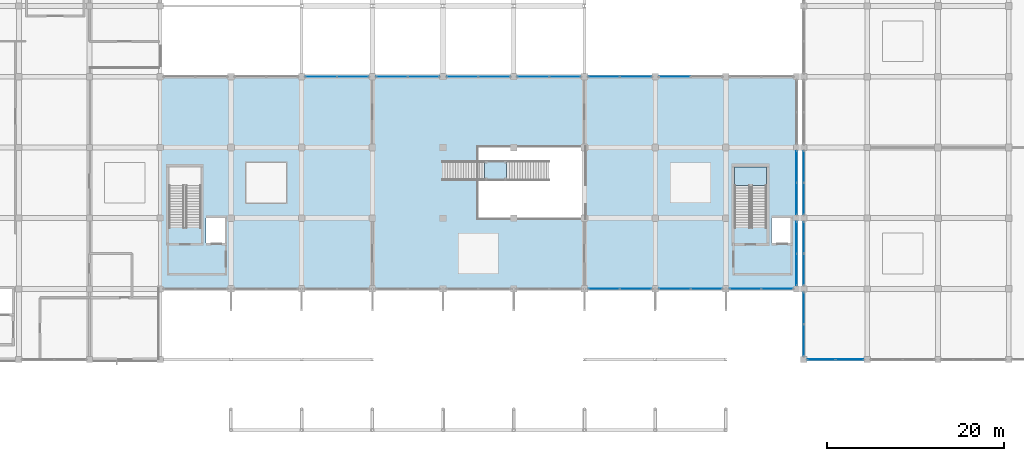
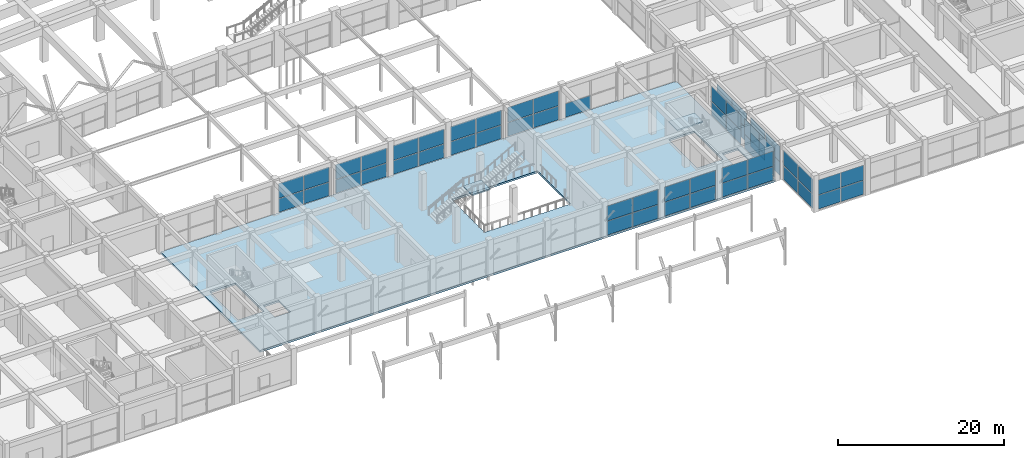
# One storey, part 42 of 69: 57 plates, 3 slabs, 17 elements without a shape of their own.
"""IFC4 building model written with IfcOpenShell, lengths in metres."""

from ifc_helpers import new_model, si_unit, direction, frame, origin, origin_2d, place, context, subcontext, project, spatial, polyline, rectangle, outline, extrude, material, layer, layer_set, type_object, element, aggregate, save


model = new_model("IFC4")

# Units and contexts
model_context = context("Model", 3, precision=1e-05, world=origin(), true_north=direction((0.0, 1.0)))
body_context = subcontext(model_context, "Body", "Model", "MODEL_VIEW")
ifc_project = project(units=[si_unit("LENGTHUNIT", "METRE"), si_unit("AREAUNIT", "SQUARE_METRE"), si_unit("VOLUMEUNIT", "CUBIC_METRE"), si_unit("PLANEANGLEUNIT", "RADIAN"), si_unit("MASSUNIT", "GRAM", prefix="KILO")], contexts=[model_context])

# Site, building, storey
site_placement = place(None, origin())
site = spatial("IfcSite", under=ifc_project, at=site_placement, CompositionType="ELEMENT")
building_placement = place(site_placement, origin())
building = spatial("IfcBuilding", under=site, at=building_placement, Name="Kenh Van Central Station", CompositionType="ELEMENT")
storey_placement = place(building_placement, frame((0.0, 0.0, 5.39990234375)))
storey = spatial("IfcBuildingStorey", under=building, at=storey_placement, Name="L01", CompositionType="ELEMENT", Elevation=5.39990234375)

# Curtain wall, plate
ifc_material_1 = material(Name="Champagne anodised aluminium", Category="aluminium")
curtain_wall_type_1 = type_object("IfcCurtainWallType", Name="CW-CONC-B", PredefinedType="NOTDEFINED", material=ifc_material_1)
curtain_wall_1_placement = place(storey_placement, origin())
curtain_wall_1 = element("IfcCurtainWall", 1, at=curtain_wall_1_placement, inside=storey, type_object=curtain_wall_type_1, Name="L01 curtain wall 113", PredefinedType="NOTDEFINED")
ifc_material_2 = material(Name="Double-glazed low-E laminated solar glass", Category="glass")
ifc_layer_1 = layer(ifc_material_2, 0.028076171875, Name="Double-glazed low-E laminated solar glass")
ifc_layer_set_1 = layer_set([ifc_layer_1], Name="Double-glazed low-E laminated solar glass")
plate_type_1 = type_object("IfcPlateType", Name="CWP-IGU-28", PredefinedType="CURTAIN_PANEL", material=ifc_layer_set_1)
plate_1_placement = place(storey_placement, frame((106.2080078125, 40.0, 0.072265625), z_axis=(0.0, 0.0, 1.0), x_axis=(-1.0, 0.0, 0.0)))
plate_1 = element("IfcPlate", 2, at=plate_1_placement, type_object=plate_type_1, Name="CW-04 panel 2.1", PredefinedType="CURTAIN_PANEL", context=body_context, shape_type="SweptSolid", body=[
    extrude(rectangle(XDim=3.501953125, YDim=0.028076171875, at=origin_2d()), origin(), (0.0, 0.0, 1.0), 2.018310546875),
])
aggregate(curtain_wall_1, [plate_1])

# Curtain wall, plates
curtain_wall_2_placement = place(storey_placement, origin())
curtain_wall_2 = element("IfcCurtainWall", 3, at=curtain_wall_2_placement, inside=storey, type_object=curtain_wall_type_1, Name="L01 curtain wall 114", PredefinedType="NOTDEFINED")
plate_2_placement = place(storey_placement, frame((101.7919921875, 40.0, 0.072265625), z_axis=(0.0, 0.0, 1.0), x_axis=(-1.0, 0.0, 0.0)))
plate_2 = element("IfcPlate", 4, at=plate_2_placement, type_object=plate_type_1, Name="CW-04 panel 1.1", PredefinedType="CURTAIN_PANEL", context=body_context, shape_type="SweptSolid", body=[
    extrude(rectangle(XDim=3.501953125, YDim=0.028076171875, at=origin_2d()), origin(), (0.0, 0.0, 1.0), 2.018310546875),
])
plate_3_placement = place(storey_placement, frame((101.7919921875, 40.0, 2.16259765625), z_axis=(0.0, 0.0, 1.0), x_axis=(-1.0, 0.0, 0.0)))
plate_3 = element("IfcPlate", 5, at=plate_3_placement, type_object=plate_type_1, Name="CW-04 panel 1.2", PredefinedType="CURTAIN_PANEL", context=body_context, shape_type="SweptSolid", body=[
    extrude(rectangle(XDim=3.501953125, YDim=0.028076171875, at=origin_2d()), origin(), (0.0, 0.0, 1.0), 2.195556640625),
])
plate_4_placement = place(storey_placement, frame((98.2080078125, 40.0, 0.072265625), z_axis=(0.0, 0.0, 1.0), x_axis=(-1.0, 0.0, 0.0)))
plate_4 = element("IfcPlate", 6, at=plate_4_placement, type_object=plate_type_1, Name="CW-04 panel 2.1", PredefinedType="CURTAIN_PANEL", context=body_context, shape_type="SweptSolid", body=[
    extrude(rectangle(XDim=3.501953125, YDim=0.028076171875, at=origin_2d()), origin(), (0.0, 0.0, 1.0), 2.018310546875),
])
plate_5_placement = place(storey_placement, frame((98.2080078125, 40.0, 2.16259765625), z_axis=(0.0, 0.0, 1.0), x_axis=(-1.0, 0.0, 0.0)))
plate_5 = element("IfcPlate", 7, at=plate_5_placement, type_object=plate_type_1, Name="CW-04 panel 2.2", PredefinedType="CURTAIN_PANEL", context=body_context, shape_type="SweptSolid", body=[
    extrude(rectangle(XDim=3.501953125, YDim=0.028076171875, at=origin_2d()), origin(), (0.0, 0.0, 1.0), 2.195556640625),
])
aggregate(curtain_wall_2, [plate_2, plate_3, plate_4, plate_5])

curtain_wall_3_placement = place(storey_placement, origin())
curtain_wall_3 = element("IfcCurtainWall", 8, at=curtain_wall_3_placement, inside=storey, type_object=curtain_wall_type_1, Name="L01 curtain wall 115", PredefinedType="NOTDEFINED")
plate_6_placement = place(storey_placement, frame((93.7919921875, 40.0, 0.072265625), z_axis=(0.0, 0.0, 1.0), x_axis=(-1.0, 0.0, 0.0)))
plate_6 = element("IfcPlate", 9, at=plate_6_placement, type_object=plate_type_1, Name="CW-04 panel 1.1", PredefinedType="CURTAIN_PANEL", context=body_context, shape_type="SweptSolid", body=[
    extrude(rectangle(XDim=3.501953125, YDim=0.028076171875, at=origin_2d()), origin(), (0.0, 0.0, 1.0), 1.994384765625),
])
plate_7_placement = place(storey_placement, frame((93.7919921875, 40.0, 2.138671875), z_axis=(0.0, 0.0, 1.0), x_axis=(-1.0, 0.0, 0.0)))
plate_7 = element("IfcPlate", 10, at=plate_7_placement, type_object=plate_type_1, Name="CW-04 panel 1.2", PredefinedType="CURTAIN_PANEL", context=body_context, shape_type="SweptSolid", body=[
    extrude(rectangle(XDim=3.501953125, YDim=0.028076171875, at=origin_2d()), origin(), (0.0, 0.0, 1.0), 2.169677734375),
])
plate_8_placement = place(storey_placement, frame((90.2080078125, 40.0, 0.072265625), z_axis=(0.0, 0.0, 1.0), x_axis=(-1.0, 0.0, 0.0)))
plate_8 = element("IfcPlate", 11, at=plate_8_placement, type_object=plate_type_1, Name="CW-04 panel 2.1", PredefinedType="CURTAIN_PANEL", context=body_context, shape_type="SweptSolid", body=[
    extrude(rectangle(XDim=3.501953125, YDim=0.028076171875, at=origin_2d()), origin(), (0.0, 0.0, 1.0), 1.994384765625),
])
plate_9_placement = place(storey_placement, frame((90.2080078125, 40.0, 2.138671875), z_axis=(0.0, 0.0, 1.0), x_axis=(-1.0, 0.0, 0.0)))
plate_9 = element("IfcPlate", 12, at=plate_9_placement, type_object=plate_type_1, Name="CW-04 panel 2.2", PredefinedType="CURTAIN_PANEL", context=body_context, shape_type="SweptSolid", body=[
    extrude(rectangle(XDim=3.501953125, YDim=0.028076171875, at=origin_2d()), origin(), (0.0, 0.0, 1.0), 2.169677734375),
])
aggregate(curtain_wall_3, [plate_6, plate_7, plate_8, plate_9])

curtain_wall_4_placement = place(storey_placement, origin())
curtain_wall_4 = element("IfcCurtainWall", 13, at=curtain_wall_4_placement, inside=storey, type_object=curtain_wall_type_1, Name="L01 curtain wall 116", PredefinedType="NOTDEFINED")
plate_10_placement = place(storey_placement, frame((85.7919921875, 40.0, 0.072265625), z_axis=(0.0, 0.0, 1.0), x_axis=(-1.0, 0.0, 0.0)))
plate_10 = element("IfcPlate", 14, at=plate_10_placement, type_object=plate_type_1, Name="CW-04 panel 1.1", PredefinedType="CURTAIN_PANEL", context=body_context, shape_type="SweptSolid", body=[
    extrude(rectangle(XDim=3.501953125, YDim=0.028076171875, at=origin_2d()), origin(), (0.0, 0.0, 1.0), 1.994384765625),
])
plate_11_placement = place(storey_placement, frame((85.7919921875, 40.0, 2.138671875), z_axis=(0.0, 0.0, 1.0), x_axis=(-1.0, 0.0, 0.0)))
plate_11 = element("IfcPlate", 15, at=plate_11_placement, type_object=plate_type_1, Name="CW-04 panel 1.2", PredefinedType="CURTAIN_PANEL", context=body_context, shape_type="SweptSolid", body=[
    extrude(rectangle(XDim=3.501953125, YDim=0.028076171875, at=origin_2d()), origin(), (0.0, 0.0, 1.0), 2.169677734375),
])
plate_12_placement = place(storey_placement, frame((82.2080078125, 40.0, 0.072265625), z_axis=(0.0, 0.0, 1.0), x_axis=(-1.0, 0.0, 0.0)))
plate_12 = element("IfcPlate", 16, at=plate_12_placement, type_object=plate_type_1, Name="CW-04 panel 2.1", PredefinedType="CURTAIN_PANEL", context=body_context, shape_type="SweptSolid", body=[
    extrude(rectangle(XDim=3.501953125, YDim=0.028076171875, at=origin_2d()), origin(), (0.0, 0.0, 1.0), 1.994384765625),
])
plate_13_placement = place(storey_placement, frame((82.2080078125, 40.0, 2.138671875), z_axis=(0.0, 0.0, 1.0), x_axis=(-1.0, 0.0, 0.0)))
plate_13 = element("IfcPlate", 17, at=plate_13_placement, type_object=plate_type_1, Name="CW-04 panel 2.2", PredefinedType="CURTAIN_PANEL", context=body_context, shape_type="SweptSolid", body=[
    extrude(rectangle(XDim=3.501953125, YDim=0.028076171875, at=origin_2d()), origin(), (0.0, 0.0, 1.0), 2.169677734375),
])
aggregate(curtain_wall_4, [plate_10, plate_11, plate_12, plate_13])

curtain_wall_5_placement = place(storey_placement, origin())
curtain_wall_5 = element("IfcCurtainWall", 18, at=curtain_wall_5_placement, inside=storey, type_object=curtain_wall_type_1, Name="L01 curtain wall 117", PredefinedType="NOTDEFINED")
plate_14_placement = place(storey_placement, frame((77.7919921875, 40.0, 0.072265625), z_axis=(0.0, 0.0, 1.0), x_axis=(-1.0, 0.0, 0.0)))
plate_14 = element("IfcPlate", 19, at=plate_14_placement, type_object=plate_type_1, Name="CW-04 panel 1.1", PredefinedType="CURTAIN_PANEL", context=body_context, shape_type="SweptSolid", body=[
    extrude(rectangle(XDim=3.501953125, YDim=0.028076171875, at=origin_2d()), origin(), (0.0, 0.0, 1.0), 1.994384765625),
])
plate_15_placement = place(storey_placement, frame((77.7919921875, 40.0, 2.138671875), z_axis=(0.0, 0.0, 1.0), x_axis=(-1.0, 0.0, 0.0)))
plate_15 = element("IfcPlate", 20, at=plate_15_placement, type_object=plate_type_1, Name="CW-04 panel 1.2", PredefinedType="CURTAIN_PANEL", context=body_context, shape_type="SweptSolid", body=[
    extrude(rectangle(XDim=3.501953125, YDim=0.028076171875, at=origin_2d()), origin(), (0.0, 0.0, 1.0), 2.169677734375),
])
plate_16_placement = place(storey_placement, frame((74.2080078125, 40.0, 0.072265625), z_axis=(0.0, 0.0, 1.0), x_axis=(-1.0, 0.0, 0.0)))
plate_16 = element("IfcPlate", 21, at=plate_16_placement, type_object=plate_type_1, Name="CW-04 panel 2.1", PredefinedType="CURTAIN_PANEL", context=body_context, shape_type="SweptSolid", body=[
    extrude(rectangle(XDim=3.501953125, YDim=0.028076171875, at=origin_2d()), origin(), (0.0, 0.0, 1.0), 1.994384765625),
])
plate_17_placement = place(storey_placement, frame((74.2080078125, 40.0, 2.138671875), z_axis=(0.0, 0.0, 1.0), x_axis=(-1.0, 0.0, 0.0)))
plate_17 = element("IfcPlate", 22, at=plate_17_placement, type_object=plate_type_1, Name="CW-04 panel 2.2", PredefinedType="CURTAIN_PANEL", context=body_context, shape_type="SweptSolid", body=[
    extrude(rectangle(XDim=3.501953125, YDim=0.028076171875, at=origin_2d()), origin(), (0.0, 0.0, 1.0), 2.169677734375),
])
aggregate(curtain_wall_5, [plate_14, plate_15, plate_16, plate_17])

curtain_wall_6_placement = place(storey_placement, origin())
curtain_wall_6 = element("IfcCurtainWall", 23, at=curtain_wall_6_placement, inside=storey, type_object=curtain_wall_type_1, Name="L01 curtain wall 118", PredefinedType="NOTDEFINED")
plate_18_placement = place(storey_placement, frame((69.7919921875, 40.0, 0.072265625), z_axis=(0.0, 0.0, 1.0), x_axis=(-1.0, 0.0, 0.0)))
plate_18 = element("IfcPlate", 24, at=plate_18_placement, type_object=plate_type_1, Name="CW-04 panel 1.1", PredefinedType="CURTAIN_PANEL", context=body_context, shape_type="SweptSolid", body=[
    extrude(rectangle(XDim=3.501953125, YDim=0.028076171875, at=origin_2d()), origin(), (0.0, 0.0, 1.0), 1.994384765625),
])
plate_19_placement = place(storey_placement, frame((69.7919921875, 40.0, 2.138671875), z_axis=(0.0, 0.0, 1.0), x_axis=(-1.0, 0.0, 0.0)))
plate_19 = element("IfcPlate", 25, at=plate_19_placement, type_object=plate_type_1, Name="CW-04 panel 1.2", PredefinedType="CURTAIN_PANEL", context=body_context, shape_type="SweptSolid", body=[
    extrude(rectangle(XDim=3.501953125, YDim=0.028076171875, at=origin_2d()), origin(), (0.0, 0.0, 1.0), 2.169677734375),
])
plate_20_placement = place(storey_placement, frame((66.2080078125, 40.0, 0.072265625), z_axis=(0.0, 0.0, 1.0), x_axis=(-1.0, 0.0, 0.0)))
plate_20 = element("IfcPlate", 26, at=plate_20_placement, type_object=plate_type_1, Name="CW-04 panel 2.1", PredefinedType="CURTAIN_PANEL", context=body_context, shape_type="SweptSolid", body=[
    extrude(rectangle(XDim=3.501953125, YDim=0.028076171875, at=origin_2d()), origin(), (0.0, 0.0, 1.0), 1.994384765625),
])
plate_21_placement = place(storey_placement, frame((66.2080078125, 40.0, 2.138671875), z_axis=(0.0, 0.0, 1.0), x_axis=(-1.0, 0.0, 0.0)))
plate_21 = element("IfcPlate", 27, at=plate_21_placement, type_object=plate_type_1, Name="CW-04 panel 2.2", PredefinedType="CURTAIN_PANEL", context=body_context, shape_type="SweptSolid", body=[
    extrude(rectangle(XDim=3.501953125, YDim=0.028076171875, at=origin_2d()), origin(), (0.0, 0.0, 1.0), 2.169677734375),
])
aggregate(curtain_wall_6, [plate_18, plate_19, plate_20, plate_21])

curtain_wall_7_placement = place(storey_placement, origin())
curtain_wall_7 = element("IfcCurtainWall", 28, at=curtain_wall_7_placement, inside=storey, type_object=curtain_wall_type_1, Name="L01 curtain wall 121", PredefinedType="NOTDEFINED")
plate_22_placement = place(storey_placement, frame((120.0, 18.195556640625, 0.072021484375), z_axis=(0.0, 0.0, 1.0), x_axis=(0.0, 1.0, 0.0)))
plate_22 = element("IfcPlate", 29, at=plate_22_placement, type_object=plate_type_1, Name="CW-04 panel 1.1", PredefinedType="CURTAIN_PANEL", context=body_context, shape_type="SweptSolid", body=[
    extrude(rectangle(XDim=3.527099609375, YDim=0.028076171875, at=origin_2d()), origin(), (0.0, 0.0, 1.0), 2.04248046875),
])
plate_23_placement = place(storey_placement, frame((120.0, 18.195556640625, 2.1865234375), z_axis=(0.0, 0.0, 1.0), x_axis=(0.0, 1.0, 0.0)))
plate_23 = element("IfcPlate", 30, at=plate_23_placement, type_object=plate_type_1, Name="CW-04 panel 1.2", PredefinedType="CURTAIN_PANEL", context=body_context, shape_type="SweptSolid", body=[
    extrude(rectangle(XDim=3.527099609375, YDim=0.028076171875, at=origin_2d()), origin(), (0.0, 0.0, 1.0), 2.2216796875),
])
plate_24_placement = place(storey_placement, frame((120.0, 21.804443359375, 0.072021484375), z_axis=(0.0, 0.0, 1.0), x_axis=(0.0, 1.0, 0.0)))
plate_24 = element("IfcPlate", 31, at=plate_24_placement, type_object=plate_type_1, Name="CW-04 panel 2.1", PredefinedType="CURTAIN_PANEL", context=body_context, shape_type="SweptSolid", body=[
    extrude(rectangle(XDim=3.527099609375, YDim=0.028076171875, at=origin_2d()), origin(), (0.0, 0.0, 1.0), 2.04248046875),
])
plate_25_placement = place(storey_placement, frame((120.0, 21.804443359375, 2.1865234375), z_axis=(0.0, 0.0, 1.0), x_axis=(0.0, 1.0, 0.0)))
plate_25 = element("IfcPlate", 32, at=plate_25_placement, type_object=plate_type_1, Name="CW-04 panel 2.2", PredefinedType="CURTAIN_PANEL", context=body_context, shape_type="SweptSolid", body=[
    extrude(rectangle(XDim=3.527099609375, YDim=0.028076171875, at=origin_2d()), origin(), (0.0, 0.0, 1.0), 2.2216796875),
])
aggregate(curtain_wall_7, [plate_22, plate_23, plate_24, plate_25])

curtain_wall_8_placement = place(storey_placement, origin())
curtain_wall_8 = element("IfcCurtainWall", 33, at=curtain_wall_8_placement, inside=storey, type_object=curtain_wall_type_1, Name="L01 curtain wall 122", PredefinedType="NOTDEFINED")
plate_26_placement = place(storey_placement, frame((120.0, 26.195556640625, 0.072021484375), z_axis=(0.0, 0.0, 1.0), x_axis=(0.0, 1.0, 0.0)))
plate_26 = element("IfcPlate", 34, at=plate_26_placement, type_object=plate_type_1, Name="CW-04 panel 1.1", PredefinedType="CURTAIN_PANEL", context=body_context, shape_type="SweptSolid", body=[
    extrude(rectangle(XDim=3.527099609375, YDim=0.028076171875, at=origin_2d()), origin(), (0.0, 0.0, 1.0), 2.04248046875),
])
plate_27_placement = place(storey_placement, frame((120.0, 26.195556640625, 2.1865234375), z_axis=(0.0, 0.0, 1.0), x_axis=(0.0, 1.0, 0.0)))
plate_27 = element("IfcPlate", 35, at=plate_27_placement, type_object=plate_type_1, Name="CW-04 panel 1.2", PredefinedType="CURTAIN_PANEL", context=body_context, shape_type="SweptSolid", body=[
    extrude(rectangle(XDim=3.527099609375, YDim=0.028076171875, at=origin_2d()), origin(), (0.0, 0.0, 1.0), 2.2216796875),
])
plate_28_placement = place(storey_placement, frame((120.0, 29.804443359375, 0.072021484375), z_axis=(0.0, 0.0, 1.0), x_axis=(0.0, 1.0, 0.0)))
plate_28 = element("IfcPlate", 36, at=plate_28_placement, type_object=plate_type_1, Name="CW-04 panel 2.1", PredefinedType="CURTAIN_PANEL", context=body_context, shape_type="SweptSolid", body=[
    extrude(rectangle(XDim=3.527099609375, YDim=0.028076171875, at=origin_2d()), origin(), (0.0, 0.0, 1.0), 2.04248046875),
])
plate_29_placement = place(storey_placement, frame((120.0, 29.804443359375, 2.1865234375), z_axis=(0.0, 0.0, 1.0), x_axis=(0.0, 1.0, 0.0)))
plate_29 = element("IfcPlate", 37, at=plate_29_placement, type_object=plate_type_1, Name="CW-04 panel 2.2", PredefinedType="CURTAIN_PANEL", context=body_context, shape_type="SweptSolid", body=[
    extrude(rectangle(XDim=3.527099609375, YDim=0.028076171875, at=origin_2d()), origin(), (0.0, 0.0, 1.0), 2.2216796875),
])
aggregate(curtain_wall_8, [plate_26, plate_27, plate_28, plate_29])

curtain_wall_type_2 = type_object("IfcCurtainWallType", Name="CW-CONC-A", PredefinedType="NOTDEFINED", material=ifc_material_1)
curtain_wall_9_placement = place(storey_placement, origin())
curtain_wall_9 = element("IfcCurtainWall", 38, at=curtain_wall_9_placement, inside=storey, type_object=curtain_wall_type_2, Name="L01 curtain wall 109", PredefinedType="NOTDEFINED")
ifc_layer_2 = layer(ifc_material_2, 0.030029296875, Name="Double-glazed low-E laminated solar glass")
ifc_layer_set_2 = layer_set([ifc_layer_2], Name="Double-glazed low-E laminated solar glass")
plate_type_2 = type_object("IfcPlateType", Name="CWP-IGU-30", PredefinedType="CURTAIN_PANEL", material=ifc_layer_set_2)
plate_30_placement = place(storey_placement, frame((98.2080078125, 16.0, 0.072265625), z_axis=(0.0, 0.0, 1.0), x_axis=(1.0, 0.0, 0.0)))
plate_30 = element("IfcPlate", 39, at=plate_30_placement, type_object=plate_type_2, Name="CW-03 panel 1.1", PredefinedType="CURTAIN_PANEL", context=body_context, shape_type="SweptSolid", body=[
    extrude(rectangle(XDim=3.501953125, YDim=0.030029296875, at=origin_2d()), origin(), (0.0, 0.0, 1.0), 2.018310546875),
])
plate_31_placement = place(storey_placement, frame((98.2080078125, 16.0, 2.16259765625), z_axis=(0.0, 0.0, 1.0), x_axis=(1.0, 0.0, 0.0)))
plate_31 = element("IfcPlate", 40, at=plate_31_placement, type_object=plate_type_2, Name="CW-03 panel 1.2", PredefinedType="CURTAIN_PANEL", context=body_context, shape_type="SweptSolid", body=[
    extrude(rectangle(XDim=3.501953125, YDim=0.030029296875, at=origin_2d()), origin(), (0.0, 0.0, 1.0), 2.195556640625),
])
plate_32_placement = place(storey_placement, frame((101.7919921875, 16.0, 0.072265625), z_axis=(0.0, 0.0, 1.0), x_axis=(1.0, 0.0, 0.0)))
plate_32 = element("IfcPlate", 41, at=plate_32_placement, type_object=plate_type_2, Name="CW-03 panel 2.1", PredefinedType="CURTAIN_PANEL", context=body_context, shape_type="SweptSolid", body=[
    extrude(rectangle(XDim=3.501953125, YDim=0.030029296875, at=origin_2d()), origin(), (0.0, 0.0, 1.0), 2.018310546875),
])
plate_33_placement = place(storey_placement, frame((101.7919921875, 16.0, 2.16259765625), z_axis=(0.0, 0.0, 1.0), x_axis=(1.0, 0.0, 0.0)))
plate_33 = element("IfcPlate", 42, at=plate_33_placement, type_object=plate_type_2, Name="CW-03 panel 2.2", PredefinedType="CURTAIN_PANEL", context=body_context, shape_type="SweptSolid", body=[
    extrude(rectangle(XDim=3.501953125, YDim=0.030029296875, at=origin_2d()), origin(), (0.0, 0.0, 1.0), 2.195556640625),
])
aggregate(curtain_wall_9, [plate_30, plate_31, plate_32, plate_33])

curtain_wall_10_placement = place(storey_placement, origin())
curtain_wall_10 = element("IfcCurtainWall", 43, at=curtain_wall_10_placement, inside=storey, type_object=curtain_wall_type_2, Name="L01 curtain wall 110", PredefinedType="NOTDEFINED")
plate_34_placement = place(storey_placement, frame((106.2080078125, 16.0, 0.072265625), z_axis=(0.0, 0.0, 1.0), x_axis=(1.0, 0.0, 0.0)))
plate_34 = element("IfcPlate", 44, at=plate_34_placement, type_object=plate_type_2, Name="CW-03 panel 1.1", PredefinedType="CURTAIN_PANEL", context=body_context, shape_type="SweptSolid", body=[
    extrude(rectangle(XDim=3.501953125, YDim=0.030029296875, at=origin_2d()), origin(), (0.0, 0.0, 1.0), 2.018310546875),
])
plate_35_placement = place(storey_placement, frame((106.2080078125, 16.0, 2.16259765625), z_axis=(0.0, 0.0, 1.0), x_axis=(1.0, 0.0, 0.0)))
plate_35 = element("IfcPlate", 45, at=plate_35_placement, type_object=plate_type_2, Name="CW-03 panel 1.2", PredefinedType="CURTAIN_PANEL", context=body_context, shape_type="SweptSolid", body=[
    extrude(rectangle(XDim=3.501953125, YDim=0.030029296875, at=origin_2d()), origin(), (0.0, 0.0, 1.0), 2.195556640625),
])
plate_36_placement = place(storey_placement, frame((109.7919921875, 16.0, 0.072265625), z_axis=(0.0, 0.0, 1.0), x_axis=(1.0, 0.0, 0.0)))
plate_36 = element("IfcPlate", 46, at=plate_36_placement, type_object=plate_type_2, Name="CW-03 panel 2.1", PredefinedType="CURTAIN_PANEL", context=body_context, shape_type="SweptSolid", body=[
    extrude(rectangle(XDim=3.501953125, YDim=0.030029296875, at=origin_2d()), origin(), (0.0, 0.0, 1.0), 2.018310546875),
])
plate_37_placement = place(storey_placement, frame((109.7919921875, 16.0, 2.16259765625), z_axis=(0.0, 0.0, 1.0), x_axis=(1.0, 0.0, 0.0)))
plate_37 = element("IfcPlate", 47, at=plate_37_placement, type_object=plate_type_2, Name="CW-03 panel 2.2", PredefinedType="CURTAIN_PANEL", context=body_context, shape_type="SweptSolid", body=[
    extrude(rectangle(XDim=3.501953125, YDim=0.030029296875, at=origin_2d()), origin(), (0.0, 0.0, 1.0), 2.195556640625),
])
aggregate(curtain_wall_10, [plate_34, plate_35, plate_36, plate_37])

curtain_wall_11_placement = place(storey_placement, origin())
curtain_wall_11 = element("IfcCurtainWall", 48, at=curtain_wall_11_placement, inside=storey, type_object=curtain_wall_type_2, Name="L01 curtain wall 111", PredefinedType="NOTDEFINED")
plate_38_placement = place(storey_placement, frame((114.21435546875, 16.0, 0.072265625), z_axis=(0.0, 0.0, 1.0), x_axis=(1.0, 0.0, 0.0)))
plate_38 = element("IfcPlate", 49, at=plate_38_placement, type_object=plate_type_2, Name="CW-03 panel 1.1", PredefinedType="CURTAIN_PANEL", context=body_context, shape_type="SweptSolid", body=[
    extrude(rectangle(XDim=3.514404296875, YDim=0.030029296875, at=origin_2d()), origin(), (0.0, 0.0, 1.0), 2.018310546875),
])
plate_39_placement = place(storey_placement, frame((114.21435546875, 16.0, 2.16259765625), z_axis=(0.0, 0.0, 1.0), x_axis=(1.0, 0.0, 0.0)))
plate_39 = element("IfcPlate", 50, at=plate_39_placement, type_object=plate_type_2, Name="CW-03 panel 1.2", PredefinedType="CURTAIN_PANEL", context=body_context, shape_type="SweptSolid", body=[
    extrude(rectangle(XDim=3.514404296875, YDim=0.030029296875, at=origin_2d()), origin(), (0.0, 0.0, 1.0), 2.195556640625),
])
plate_40_placement = place(storey_placement, frame((117.810791015625, 16.0, 0.072265625), z_axis=(0.0, 0.0, 1.0), x_axis=(1.0, 0.0, 0.0)))
plate_40 = element("IfcPlate", 51, at=plate_40_placement, type_object=plate_type_2, Name="CW-03 panel 2.1", PredefinedType="CURTAIN_PANEL", context=body_context, shape_type="SweptSolid", body=[
    extrude(rectangle(XDim=3.514404296875, YDim=0.030029296875, at=origin_2d()), origin(), (0.0, 0.0, 1.0), 2.018310546875),
])
plate_41_placement = place(storey_placement, frame((117.810791015625, 16.0, 2.16259765625), z_axis=(0.0, 0.0, 1.0), x_axis=(1.0, 0.0, 0.0)))
plate_41 = element("IfcPlate", 52, at=plate_41_placement, type_object=plate_type_2, Name="CW-03 panel 2.2", PredefinedType="CURTAIN_PANEL", context=body_context, shape_type="SweptSolid", body=[
    extrude(rectangle(XDim=3.514404296875, YDim=0.030029296875, at=origin_2d()), origin(), (0.0, 0.0, 1.0), 2.195556640625),
])
aggregate(curtain_wall_11, [plate_38, plate_39, plate_40, plate_41])

curtain_wall_type_3 = type_object("IfcCurtainWallType", Name="CW-OPER-B", PredefinedType="NOTDEFINED", material=ifc_material_1)
curtain_wall_12_placement = place(storey_placement, origin())
curtain_wall_12 = element("IfcCurtainWall", 53, at=curtain_wall_12_placement, inside=storey, type_object=curtain_wall_type_3, Name="L01 curtain wall 156", PredefinedType="NOTDEFINED")
plate_42_placement = place(storey_placement, frame((120.800048828125, 29.802978515625, 0.072265625), z_axis=(0.0, 0.0, 1.0), x_axis=(0.0, -1.0, 0.0)))
plate_42 = element("IfcPlate", 54, at=plate_42_placement, type_object=plate_type_2, Name="CW-08 panel 1.1", PredefinedType="CURTAIN_PANEL", context=body_context, shape_type="SweptSolid", body=[
    extrude(rectangle(XDim=3.51806640625, YDim=0.030029296875, at=origin_2d()), origin(), (0.0, 0.0, 1.0), 2.023193359375),
])
plate_43_placement = place(storey_placement, frame((120.800048828125, 29.802978515625, 2.167236328125), z_axis=(0.0, 0.0, 1.0), x_axis=(0.0, -1.0, 0.0)))
plate_43 = element("IfcPlate", 55, at=plate_43_placement, type_object=plate_type_2, Name="CW-08 panel 1.2", PredefinedType="CURTAIN_PANEL", context=body_context, shape_type="SweptSolid", body=[
    extrude(rectangle(XDim=3.51806640625, YDim=0.030029296875, at=origin_2d()), origin(), (0.0, 0.0, 1.0), 2.20068359375),
])
plate_44_placement = place(storey_placement, frame((120.800048828125, 26.197021484375, 0.072265625), z_axis=(0.0, 0.0, 1.0), x_axis=(0.0, -1.0, 0.0)))
plate_44 = element("IfcPlate", 56, at=plate_44_placement, type_object=plate_type_2, Name="CW-08 panel 2.1", PredefinedType="CURTAIN_PANEL", context=body_context, shape_type="SweptSolid", body=[
    extrude(rectangle(XDim=3.51806640625, YDim=0.030029296875, at=origin_2d()), origin(), (0.0, 0.0, 1.0), 2.023193359375),
])
plate_45_placement = place(storey_placement, frame((120.800048828125, 26.197021484375, 2.167236328125), z_axis=(0.0, 0.0, 1.0), x_axis=(0.0, -1.0, 0.0)))
plate_45 = element("IfcPlate", 57, at=plate_45_placement, type_object=plate_type_2, Name="CW-08 panel 2.2", PredefinedType="CURTAIN_PANEL", context=body_context, shape_type="SweptSolid", body=[
    extrude(rectangle(XDim=3.51806640625, YDim=0.030029296875, at=origin_2d()), origin(), (0.0, 0.0, 1.0), 2.20068359375),
])
aggregate(curtain_wall_12, [plate_42, plate_43, plate_44, plate_45])

curtain_wall_13_placement = place(storey_placement, origin())
curtain_wall_13 = element("IfcCurtainWall", 58, at=curtain_wall_13_placement, inside=storey, type_object=curtain_wall_type_3, Name="L01 curtain wall 157", PredefinedType="NOTDEFINED")
plate_46_placement = place(storey_placement, frame((120.800048828125, 21.802978515625, 0.072265625), z_axis=(0.0, 0.0, 1.0), x_axis=(0.0, -1.0, 0.0)))
plate_46 = element("IfcPlate", 59, at=plate_46_placement, type_object=plate_type_2, Name="CW-08 panel 1.1", PredefinedType="CURTAIN_PANEL", context=body_context, shape_type="SweptSolid", body=[
    extrude(rectangle(XDim=3.51806640625, YDim=0.030029296875, at=origin_2d()), origin(), (0.0, 0.0, 1.0), 2.023193359375),
])
plate_47_placement = place(storey_placement, frame((120.800048828125, 21.802978515625, 2.167236328125), z_axis=(0.0, 0.0, 1.0), x_axis=(0.0, -1.0, 0.0)))
plate_47 = element("IfcPlate", 60, at=plate_47_placement, type_object=plate_type_2, Name="CW-08 panel 1.2", PredefinedType="CURTAIN_PANEL", context=body_context, shape_type="SweptSolid", body=[
    extrude(rectangle(XDim=3.51806640625, YDim=0.030029296875, at=origin_2d()), origin(), (0.0, 0.0, 1.0), 2.20068359375),
])
plate_48_placement = place(storey_placement, frame((120.800048828125, 18.197021484375, 0.072265625), z_axis=(0.0, 0.0, 1.0), x_axis=(0.0, -1.0, 0.0)))
plate_48 = element("IfcPlate", 61, at=plate_48_placement, type_object=plate_type_2, Name="CW-08 panel 2.1", PredefinedType="CURTAIN_PANEL", context=body_context, shape_type="SweptSolid", body=[
    extrude(rectangle(XDim=3.51806640625, YDim=0.030029296875, at=origin_2d()), origin(), (0.0, 0.0, 1.0), 2.023193359375),
])
plate_49_placement = place(storey_placement, frame((120.800048828125, 18.197021484375, 2.167236328125), z_axis=(0.0, 0.0, 1.0), x_axis=(0.0, -1.0, 0.0)))
plate_49 = element("IfcPlate", 62, at=plate_49_placement, type_object=plate_type_2, Name="CW-08 panel 2.2", PredefinedType="CURTAIN_PANEL", context=body_context, shape_type="SweptSolid", body=[
    extrude(rectangle(XDim=3.51806640625, YDim=0.030029296875, at=origin_2d()), origin(), (0.0, 0.0, 1.0), 2.20068359375),
])
aggregate(curtain_wall_13, [plate_46, plate_47, plate_48, plate_49])

curtain_wall_14_placement = place(storey_placement, origin())
curtain_wall_14 = element("IfcCurtainWall", 63, at=curtain_wall_14_placement, inside=storey, type_object=curtain_wall_type_3, Name="L01 curtain wall 158", PredefinedType="NOTDEFINED")
plate_50_placement = place(storey_placement, frame((120.800048828125, 13.802978515625, 0.072265625), z_axis=(0.0, 0.0, 1.0), x_axis=(0.0, -1.0, 0.0)))
plate_50 = element("IfcPlate", 64, at=plate_50_placement, type_object=plate_type_2, Name="CW-08 panel 1.1", PredefinedType="CURTAIN_PANEL", context=body_context, shape_type="SweptSolid", body=[
    extrude(rectangle(XDim=3.51806640625, YDim=0.030029296875, at=origin_2d()), origin(), (0.0, 0.0, 1.0), 2.023193359375),
])
plate_51_placement = place(storey_placement, frame((120.800048828125, 13.802978515625, 2.167236328125), z_axis=(0.0, 0.0, 1.0), x_axis=(0.0, -1.0, 0.0)))
plate_51 = element("IfcPlate", 65, at=plate_51_placement, type_object=plate_type_2, Name="CW-08 panel 1.2", PredefinedType="CURTAIN_PANEL", context=body_context, shape_type="SweptSolid", body=[
    extrude(rectangle(XDim=3.51806640625, YDim=0.030029296875, at=origin_2d()), origin(), (0.0, 0.0, 1.0), 2.20068359375),
])
plate_52_placement = place(storey_placement, frame((120.800048828125, 10.197021484375, 0.072265625), z_axis=(0.0, 0.0, 1.0), x_axis=(0.0, -1.0, 0.0)))
plate_52 = element("IfcPlate", 66, at=plate_52_placement, type_object=plate_type_2, Name="CW-08 panel 2.1", PredefinedType="CURTAIN_PANEL", context=body_context, shape_type="SweptSolid", body=[
    extrude(rectangle(XDim=3.51806640625, YDim=0.030029296875, at=origin_2d()), origin(), (0.0, 0.0, 1.0), 2.023193359375),
])
plate_53_placement = place(storey_placement, frame((120.800048828125, 10.197021484375, 2.167236328125), z_axis=(0.0, 0.0, 1.0), x_axis=(0.0, -1.0, 0.0)))
plate_53 = element("IfcPlate", 67, at=plate_53_placement, type_object=plate_type_2, Name="CW-08 panel 2.2", PredefinedType="CURTAIN_PANEL", context=body_context, shape_type="SweptSolid", body=[
    extrude(rectangle(XDim=3.51806640625, YDim=0.030029296875, at=origin_2d()), origin(), (0.0, 0.0, 1.0), 2.20068359375),
])
aggregate(curtain_wall_14, [plate_50, plate_51, plate_52, plate_53])

curtain_wall_type_4 = type_object("IfcCurtainWallType", Name="CW-OPER-A", PredefinedType="NOTDEFINED", material=ifc_material_1)
curtain_wall_15_placement = place(storey_placement, origin())
curtain_wall_15 = element("IfcCurtainWall", 68, at=curtain_wall_15_placement, inside=storey, type_object=curtain_wall_type_4, Name="L01 curtain wall 130", PredefinedType="NOTDEFINED")
ifc_layer_3 = layer(ifc_material_2, 0.031982421875, Name="Double-glazed low-E laminated solar glass")
ifc_layer_set_3 = layer_set([ifc_layer_3], Name="Double-glazed low-E laminated solar glass")
plate_type_3 = type_object("IfcPlateType", Name="CWP-IGU-32", PredefinedType="CURTAIN_PANEL", material=ifc_layer_set_3)
plate_54_placement = place(storey_placement, frame((122.797119140625, 8.0, 0.072265625), z_axis=(0.0, 0.0, 1.0), x_axis=(1.0, 0.0, 0.0)))
plate_54 = element("IfcPlate", 69, at=plate_54_placement, type_object=plate_type_3, Name="CW-07 panel 1.1", PredefinedType="CURTAIN_PANEL", context=body_context, shape_type="SweptSolid", body=[
    extrude(rectangle(XDim=3.117919921875, YDim=0.031982421875, at=origin_2d()), origin(), (0.0, 0.0, 1.0), 2.023193359375),
])
plate_55_placement = place(storey_placement, frame((122.797119140625, 8.0, 2.167236328125), z_axis=(0.0, 0.0, 1.0), x_axis=(1.0, 0.0, 0.0)))
plate_55 = element("IfcPlate", 70, at=plate_55_placement, type_object=plate_type_3, Name="CW-07 panel 1.2", PredefinedType="CURTAIN_PANEL", context=body_context, shape_type="SweptSolid", body=[
    extrude(rectangle(XDim=3.117919921875, YDim=0.031982421875, at=origin_2d()), origin(), (0.0, 0.0, 1.0), 2.20068359375),
])
plate_56_placement = place(storey_placement, frame((126.0029296875, 8.0, 0.072265625), z_axis=(0.0, 0.0, 1.0), x_axis=(1.0, 0.0, 0.0)))
plate_56 = element("IfcPlate", 71, at=plate_56_placement, type_object=plate_type_3, Name="CW-07 panel 2.1", PredefinedType="CURTAIN_PANEL", context=body_context, shape_type="SweptSolid", body=[
    extrude(rectangle(XDim=3.117919921875, YDim=0.031982421875, at=origin_2d()), origin(), (0.0, 0.0, 1.0), 2.023193359375),
])
plate_57_placement = place(storey_placement, frame((126.0029296875, 8.0, 2.167236328125), z_axis=(0.0, 0.0, 1.0), x_axis=(1.0, 0.0, 0.0)))
plate_57 = element("IfcPlate", 72, at=plate_57_placement, type_object=plate_type_3, Name="CW-07 panel 2.2", PredefinedType="CURTAIN_PANEL", context=body_context, shape_type="SweptSolid", body=[
    extrude(rectangle(XDim=3.117919921875, YDim=0.031982421875, at=origin_2d()), origin(), (0.0, 0.0, 1.0), 2.20068359375),
])
aggregate(curtain_wall_15, [plate_54, plate_55, plate_56, plate_57])

# Slab
ifc_material_3 = material(Name="Concrete C35/45", Category="concrete")
ifc_layer_4 = layer(ifc_material_3, 0.280029296875, Name="Concrete C35/45")
ifc_layer_set_4 = layer_set([ifc_layer_4], Name="Concrete C35/45")
slab_type_1 = type_object("IfcSlabType", Name="SLB-FLR-280", PredefinedType="FLOOR", material=ifc_layer_set_4)
slab_1_placement = place(storey_placement, frame((0.0, 0.0, -0.27978515625)))
element("IfcSlab", 73, at=slab_1_placement, inside=storey, type_object=slab_type_1, Name="L01 slab SLB-L01-CONC", PredefinedType="FLOOR", context=body_context, shape_type="SweptSolid", body=[
    extrude(outline(polyline([(48.03759765625, 16.0), (119.96240234375, 16.0), (119.96240234375, 40.0), (48.03759765625, 40.0), (48.03759765625, 16.0)]), holes=[polyline([(119.300048828125, 21.199951171875), (117.14990234375, 21.199951171875), (117.14990234375, 24.0), (119.300048828125, 24.0), (119.300048828125, 21.199951171875)]), polyline([(116.60009765625, 22.9150390625), (113.0, 22.9150390625), (113.0, 29.800048828125), (116.60009765625, 29.800048828125), (116.60009765625, 22.9150390625)]), polyline([(96.0, 24.0), (84.010009765625, 24.0), (84.010009765625, 32.0), (96.0, 32.0), (96.0, 24.0)]), polyline([(55.300048828125, 21.199951171875), (53.14990234375, 21.199951171875), (53.14990234375, 24.0), (55.300048828125, 24.0), (55.300048828125, 21.199951171875)]), polyline([(52.60009765625, 22.9150390625), (49.0, 22.9150390625), (49.0, 29.800048828125), (52.60009765625, 29.800048828125), (52.60009765625, 22.9150390625)])]), origin(), (0.0, 0.0, 1.0), 0.27978515625),
])

# Stair, slab
ifc_material_4 = material(Name="Concrete C40/50", Category="concrete")
stair_type_1 = type_object("IfcStairType", Name="STR-PUB-2200", PredefinedType="STRAIGHT_RUN_STAIR", material=ifc_material_4)
stair_1_placement = place(storey_placement, origin())
stair_1 = element("IfcStair", 74, at=stair_1_placement, inside=storey, type_object=stair_type_1, Name="Departure Concourse Paid Bridge Stair", PredefinedType="STRAIGHT_RUN_STAIR")
ifc_layer_5 = layer(ifc_material_4, 0.179931640625, Name="Concrete C40/50")
ifc_layer_set_5 = layer_set([ifc_layer_5], Name="Concrete C40/50")
slab_type_2 = type_object("IfcSlabType", Name="SLB-LAND-180", PredefinedType="LANDING", material=ifc_layer_set_5)
slab_2_placement = place(storey_placement, frame((0.0, 0.0, 2.52001953125)))
slab_2 = element("IfcSlab", 75, at=slab_2_placement, type_object=slab_type_2, Name="ST-P4 landing 1", PredefinedType="LANDING", context=body_context, shape_type="SweptSolid", body=[
    extrude(outline(polyline([(84.705078125, 28.25), (87.205078125, 28.25), (87.205078125, 30.449951171875), (84.705078125, 30.449951171875), (84.705078125, 28.25)])), origin(), (0.0, 0.0, 1.0), 0.18017578125),
])
aggregate(stair_1, [slab_2])

stair_type_2 = type_object("IfcStairType", Name="STR-DLG-1700", PredefinedType="HALF_TURN_STAIR", material=ifc_material_3)
stair_2_placement = place(storey_placement, origin())
stair_2 = element("IfcStair", 76, at=stair_2_placement, inside=storey, type_object=stair_type_2, Name="L01 Ticket Hall East Exit Core", PredefinedType="HALF_TURN_STAIR")
ifc_layer_6 = layer(ifc_material_3, 0.199951171875, Name="Concrete C35/45")
ifc_layer_set_6 = layer_set([ifc_layer_6], Name="Concrete C35/45")
slab_type_3 = type_object("IfcSlabType", Name="SLB-LAND-200", PredefinedType="LANDING", material=ifc_layer_set_6)
slab_3_placement = place(storey_placement, frame((0.0, 0.0, 2.5)))
slab_3 = element("IfcSlab", 77, at=slab_3_placement, type_object=slab_type_3, Name="ST-04 landing 1", PredefinedType="LANDING", context=body_context, shape_type="SweptSolid", body=[
    extrude(outline(polyline([(116.60009765625, 27.699951171875), (116.60009765625, 29.800048828125), (113.0, 29.800048828125), (113.0, 27.699951171875), (116.60009765625, 27.699951171875)])), origin(), (0.0, 0.0, 1.0), 0.2001953125),
])
aggregate(stair_2, [slab_3])

save(model, "model.ifc")
